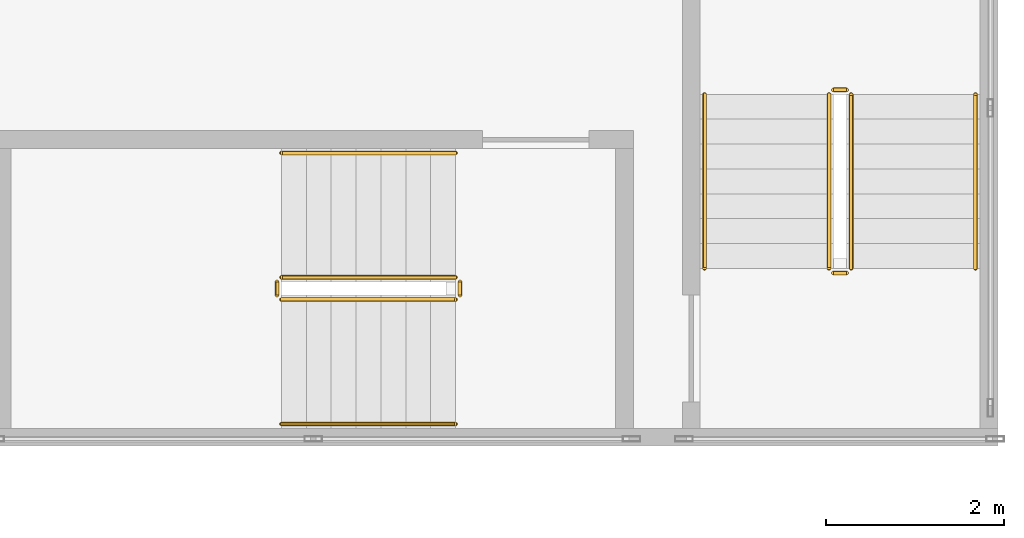
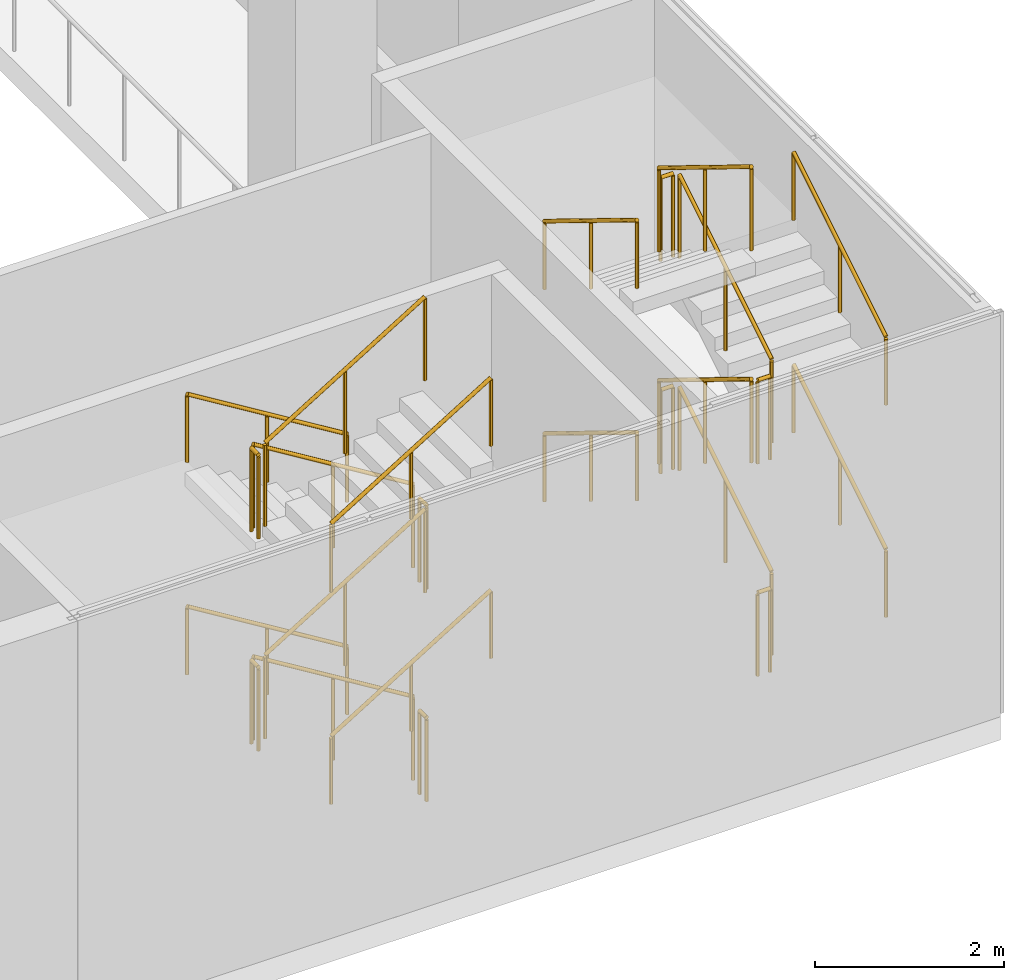
# One storey, part 21 of 23: 24 railings.
"""IFC4 building model written with IfcOpenShell, lengths in metres."""

from ifc_helpers import new_model, si_unit, direction, frame, origin, origin_2d, place, context, subcontext, project, spatial, circle, extrude, source, transform, mapped, material, type_object, element, save


model = new_model("IFC4")

# Units and contexts
model_context = context("Model", 3, precision=1e-05, world=origin(), true_north=direction((0.0, 1.0)))
body_context = subcontext(model_context, "Body", "Model", "MODEL_VIEW")
ifc_project = project(units=[si_unit("LENGTHUNIT", "METRE"), si_unit("AREAUNIT", "SQUARE_METRE"), si_unit("VOLUMEUNIT", "CUBIC_METRE"), si_unit("PLANEANGLEUNIT", "RADIAN"), si_unit("MASSUNIT", "GRAM", prefix="KILO")], contexts=[model_context])

# Site, building, storey
site_placement = place(None, origin())
site = spatial("IfcSite", under=ifc_project, at=site_placement, CompositionType="ELEMENT")
building_placement = place(site_placement, origin())
building = spatial("IfcBuilding", under=site, at=building_placement, Name="Khomas Fold Tower", CompositionType="ELEMENT")
storey_placement = place(building_placement, frame((0.0, 0.0, 7.5)))
storey = spatial("IfcBuildingStorey", under=building, at=storey_placement, Name="L01", CompositionType="ELEMENT", Elevation=7.5)

# Railings
ifc_material_1 = material(Name="Steel balustrade", Category="steel")
railing_type_1 = type_object("IfcRailingType", Name="Stair guard", PredefinedType="GUARDRAIL", material=ifc_material_1)
shared_shape_1 = source(origin(), body_context, "Body", "SweptSolid", [
    extrude(circle(Radius=0.02392578125, at=origin_2d()), frame((0.0, 0.0, 1.076171875), z_axis=(0.852240978134, 0.0, 0.523149419562), x_axis=(0.0, 1.0, 0.0)), (0.0, 0.0, 1.0), 2.2998046875),
    extrude(circle(Radius=0.02099609375, at=origin_2d()), origin(), (0.0, 0.0, 1.0), 1.052001953125),
    extrude(circle(Radius=0.02099609375, at=origin_2d()), frame((0.97998046875, 0.0, 0.6015625)), (0.0, 0.0, 1.0), 1.052001953125),
    extrude(circle(Radius=0.02099609375, at=origin_2d()), frame((1.9599609375, 0.0, 1.203125)), (0.0, 0.0, 1.0), 1.052001953125),
])
for number, where, name in (
    (1, (72.93994140625, 1.64990234375, 1.546875), "L01 PS3 stair guard 3"),
    (2, (72.93994140625, 1.64990234375, 4.296875), "L01 PS3 stair guard 7"),
):
    element("IfcRailing", number, at=place(storey_placement, frame(where)), inside=storey, type_object=railing_type_1, Name=name, PredefinedType="GUARDRAIL", context=body_context, shape_type="MappedRepresentation", body=[
        mapped(shared_shape_1, transform((0.0, 0.0, 0.0))),
    ])
shared_shape_2 = source(origin(), body_context, "Body", "SweptSolid", [
    extrude(circle(Radius=0.02392578125, at=origin_2d()), frame((0.0, 0.0, 1.076171875), z_axis=(-0.852240978134, 0.0, 0.523149419562), x_axis=(0.0, -1.0, 0.0)), (0.0, 0.0, 1.0), 2.2998046875),
    extrude(circle(Radius=0.02099609375, at=origin_2d()), origin(), (0.0, 0.0, 1.0), 1.052001953125),
    extrude(circle(Radius=0.02099609375, at=origin_2d()), frame((-0.97998046875, 0.0, 0.6015625)), (0.0, 0.0, 1.0), 1.052001953125),
    extrude(circle(Radius=0.02099609375, at=origin_2d()), frame((-1.9599609375, 0.0, 1.203125)), (0.0, 0.0, 1.0), 1.052001953125),
])
for number, where, name in (
    (3, (74.89990234375, 1.89990234375, 0.171875), "L01 PS3 stair guard 1"),
    (4, (74.89990234375, 1.89990234375, 2.921875), "L01 PS3 stair guard 5"),
):
    element("IfcRailing", number, at=place(storey_placement, frame(where)), inside=storey, type_object=railing_type_1, Name=name, PredefinedType="GUARDRAIL", context=body_context, shape_type="MappedRepresentation", body=[
        mapped(shared_shape_2, transform((0.0, 0.0, 0.0))),
    ])
ifc_material_2 = material(Name="Steel handrail", Category="steel")
railing_type_2 = type_object("IfcRailingType", Name="Stair handrail", PredefinedType="HANDRAIL", material=ifc_material_2)
shared_shape_3 = source(origin(), body_context, "Body", "SweptSolid", [
    extrude(circle(Radius=0.02392578125, at=origin_2d()), frame((0.0, 0.0, 0.8759765625), z_axis=(0.852240978134, 0.0, 0.523149419562), x_axis=(0.0, 1.0, 0.0)), (0.0, 0.0, 1.0), 2.2998046875),
    extrude(circle(Radius=0.02099609375, at=origin_2d()), origin(), (0.0, 0.0, 1.0), 0.851806640625),
    extrude(circle(Radius=0.02099609375, at=origin_2d()), frame((0.97998046875, 0.0, 0.6015625)), (0.0, 0.0, 1.0), 0.851806640625),
    extrude(circle(Radius=0.02099609375, at=origin_2d()), frame((1.9599609375, 0.0, 1.203125)), (0.0, 0.0, 1.0), 0.851806640625),
])
for number, where, name in (
    (5, (72.93994140625, 0.25, 1.546875), "L01 PS3 stair handrail 2"),
    (6, (72.93994140625, 0.25, 4.296875), "L01 PS3 stair handrail 4"),
):
    element("IfcRailing", number, at=place(storey_placement, frame(where)), inside=storey, type_object=railing_type_2, Name=name, PredefinedType="HANDRAIL", context=body_context, shape_type="MappedRepresentation", body=[
        mapped(shared_shape_3, transform((0.0, 0.0, 0.0))),
    ])
shared_shape_4 = source(origin(), body_context, "Body", "SweptSolid", [
    extrude(circle(Radius=0.02392578125, at=origin_2d()), frame((0.0, 0.0, 0.8759765625), z_axis=(-0.852240978134, 0.0, 0.523149419562), x_axis=(0.0, -1.0, 0.0)), (0.0, 0.0, 1.0), 2.2998046875),
    extrude(circle(Radius=0.02099609375, at=origin_2d()), origin(), (0.0, 0.0, 1.0), 0.851806640625),
    extrude(circle(Radius=0.02099609375, at=origin_2d()), frame((-0.97998046875, 0.0, 0.6015625)), (0.0, 0.0, 1.0), 0.851806640625),
    extrude(circle(Radius=0.02099609375, at=origin_2d()), frame((-1.9599609375, 0.0, 1.203125)), (0.0, 0.0, 1.0), 0.851806640625),
])
for number, where, name in (
    (7, (74.89990234375, 3.300048828125, 0.171875), "L01 PS3 stair handrail 1"),
    (8, (74.89990234375, 3.300048828125, 2.921875), "L01 PS3 stair handrail 3"),
):
    element("IfcRailing", number, at=place(storey_placement, frame(where)), inside=storey, type_object=railing_type_2, Name=name, PredefinedType="HANDRAIL", context=body_context, shape_type="MappedRepresentation", body=[
        mapped(shared_shape_4, transform((0.0, 0.0, 0.0))),
    ])
shared_shape_5 = source(origin(), body_context, "Body", "SweptSolid", [
    extrude(circle(Radius=0.02392578125, at=origin_2d()), frame((0.0, 0.0, 1.076171875), z_axis=(-1.0, 0.0, 0.0), x_axis=(0.0, -1.0, 0.0)), (0.0, 0.0, 1.0), 0.150146484375),
    extrude(circle(Radius=0.02099609375, at=origin_2d()), origin(), (0.0, 0.0, 1.0), 1.052001953125),
    extrude(circle(Radius=0.02099609375, at=origin_2d()), frame((-0.150146484375, 0.0, 0.0)), (0.0, 0.0, 1.0), 1.052001953125),
])
for number, where, name in (
    (9, (79.300048828125, 4.010009765625, 1.375), "L01 PS4 stair guard 2"),
    (10, (79.300048828125, 1.949951171875, 2.75), "L01 PS4 stair guard 4"),
    (11, (79.300048828125, 4.010009765625, 4.125), "L01 PS4 stair guard 6"),
    (12, (79.300048828125, 1.949951171875, 0.0), "L01 PS4 stair guard 8"),
):
    element("IfcRailing", number, at=place(storey_placement, frame(where)), inside=storey, type_object=railing_type_1, Name=name, PredefinedType="GUARDRAIL", context=body_context, shape_type="MappedRepresentation", body=[
        mapped(shared_shape_5, transform((0.0, 0.0, 0.0))),
    ])
shared_shape_6 = source(origin(), body_context, "Body", "SweptSolid", [
    extrude(circle(Radius=0.02392578125, at=origin_2d()), frame((0.0, 0.0, 1.076171875), z_axis=(0.0, 0.852240978134, 0.523149419562), x_axis=(-1.0, 0.0, 0.0)), (0.0, 0.0, 1.0), 2.2998046875),
    extrude(circle(Radius=0.02099609375, at=origin_2d()), origin(), (0.0, 0.0, 1.0), 1.052001953125),
    extrude(circle(Radius=0.02099609375, at=origin_2d()), frame((0.0, 0.97998046875, 0.6015625)), (0.0, 0.0, 1.0), 1.052001953125),
    extrude(circle(Radius=0.02099609375, at=origin_2d()), frame((0.0, 1.9599609375, 1.203125)), (0.0, 0.0, 1.0), 1.052001953125),
])
for number, where, name in (
    (13, (79.35009765625, 2.0, 0.171875), "L01 PS4 stair guard 1"),
    (14, (79.35009765625, 2.0, 2.921875), "L01 PS4 stair guard 5"),
):
    element("IfcRailing", number, at=place(storey_placement, frame(where)), inside=storey, type_object=railing_type_1, Name=name, PredefinedType="GUARDRAIL", context=body_context, shape_type="MappedRepresentation", body=[
        mapped(shared_shape_6, transform((0.0, 0.0, 0.0))),
    ])
shared_shape_7 = source(origin(), body_context, "Body", "SweptSolid", [
    extrude(circle(Radius=0.02392578125, at=origin_2d()), frame((0.0, 0.0, 1.076171875), z_axis=(0.0, -0.852240978134, 0.523149419562), x_axis=(1.0, 0.0, 0.0)), (0.0, 0.0, 1.0), 2.2998046875),
    extrude(circle(Radius=0.02099609375, at=origin_2d()), origin(), (0.0, 0.0, 1.0), 1.052001953125),
    extrude(circle(Radius=0.02099609375, at=origin_2d()), frame((0.0, -0.97998046875, 0.6015625)), (0.0, 0.0, 1.0), 1.052001953125),
    extrude(circle(Radius=0.02099609375, at=origin_2d()), frame((0.0, -1.9599609375, 1.203125)), (0.0, 0.0, 1.0), 1.052001953125),
])
for number, where, name in (
    (15, (79.10009765625, 3.9599609375, 1.546875), "L01 PS4 stair guard 3"),
    (16, (79.10009765625, 3.9599609375, 4.296875), "L01 PS4 stair guard 7"),
):
    element("IfcRailing", number, at=place(storey_placement, frame(where)), inside=storey, type_object=railing_type_1, Name=name, PredefinedType="GUARDRAIL", context=body_context, shape_type="MappedRepresentation", body=[
        mapped(shared_shape_7, transform((0.0, 0.0, 0.0))),
    ])
shared_shape_8 = source(origin(), body_context, "Body", "SweptSolid", [
    extrude(circle(Radius=0.02392578125, at=origin_2d()), frame((0.0, 0.0, 0.8759765625), z_axis=(0.0, 0.852240978134, 0.523149419562), x_axis=(-1.0, 0.0, 0.0)), (0.0, 0.0, 1.0), 2.2998046875),
    extrude(circle(Radius=0.02099609375, at=origin_2d()), origin(), (0.0, 0.0, 1.0), 0.851806640625),
    extrude(circle(Radius=0.02099609375, at=origin_2d()), frame((0.0, 0.97998046875, 0.6015625)), (0.0, 0.0, 1.0), 0.851806640625),
    extrude(circle(Radius=0.02099609375, at=origin_2d()), frame((0.0, 1.9599609375, 1.203125)), (0.0, 0.0, 1.0), 0.851806640625),
])
for number, where, name in (
    (17, (80.75, 2.0, 0.171875), "L01 PS4 stair handrail 1"),
    (18, (80.75, 2.0, 2.921875), "L01 PS4 stair handrail 3"),
):
    element("IfcRailing", number, at=place(storey_placement, frame(where)), inside=storey, type_object=railing_type_2, Name=name, PredefinedType="HANDRAIL", context=body_context, shape_type="MappedRepresentation", body=[
        mapped(shared_shape_8, transform((0.0, 0.0, 0.0))),
    ])
shared_shape_9 = source(origin(), body_context, "Body", "SweptSolid", [
    extrude(circle(Radius=0.02392578125, at=origin_2d()), frame((0.0, 0.0, 0.8759765625), z_axis=(0.0, -0.852240978134, 0.523149419562), x_axis=(1.0, 0.0, 0.0)), (0.0, 0.0, 1.0), 2.2998046875),
    extrude(circle(Radius=0.02099609375, at=origin_2d()), origin(), (0.0, 0.0, 1.0), 0.851806640625),
    extrude(circle(Radius=0.02099609375, at=origin_2d()), frame((0.0, -0.97998046875, 0.6015625)), (0.0, 0.0, 1.0), 0.851806640625),
    extrude(circle(Radius=0.02099609375, at=origin_2d()), frame((0.0, -1.9599609375, 1.203125)), (0.0, 0.0, 1.0), 0.851806640625),
])
for number, where, name in (
    (19, (77.699951171875, 3.9599609375, 1.546875), "L01 PS4 stair handrail 2"),
    (20, (77.699951171875, 3.9599609375, 4.296875), "L01 PS4 stair handrail 4"),
):
    element("IfcRailing", number, at=place(storey_placement, frame(where)), inside=storey, type_object=railing_type_2, Name=name, PredefinedType="HANDRAIL", context=body_context, shape_type="MappedRepresentation", body=[
        mapped(shared_shape_9, transform((0.0, 0.0, 0.0))),
    ])
shared_shape_10 = source(origin(), body_context, "Body", "SweptSolid", [
    extrude(circle(Radius=0.02392578125, at=origin_2d()), frame((0.0, 0.0, 1.076171875), z_axis=(0.0, -1.0, 0.0), x_axis=(1.0, 0.0, 0.0)), (0.0, 0.0, 1.0), 0.150146484375),
    extrude(circle(Radius=0.02099609375, at=origin_2d()), origin(), (0.0, 0.0, 1.0), 1.052001953125),
    extrude(circle(Radius=0.02099609375, at=origin_2d()), frame((0.0, -0.150146484375, 0.0)), (0.0, 0.0, 1.0), 1.052001953125),
])
for number, where, name in (
    (21, (72.889892578125, 1.85009765625, 1.375), "L01 PS3 stair guard 2"),
    (22, (74.949951171875, 1.85009765625, 2.75), "L01 PS3 stair guard 4"),
    (23, (72.889892578125, 1.85009765625, 4.125), "L01 PS3 stair guard 6"),
    (24, (74.949951171875, 1.85009765625, 0.0), "L01 PS3 stair guard 8"),
):
    element("IfcRailing", number, at=place(storey_placement, frame(where)), inside=storey, type_object=railing_type_1, Name=name, PredefinedType="GUARDRAIL", context=body_context, shape_type="MappedRepresentation", body=[
        mapped(shared_shape_10, transform((0.0, 0.0, 0.0))),
    ])

save(model, "model.ifc")
